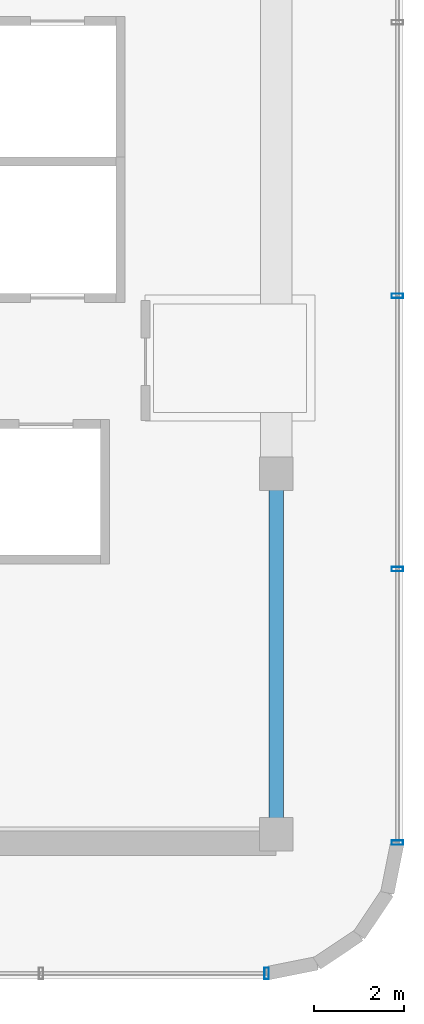
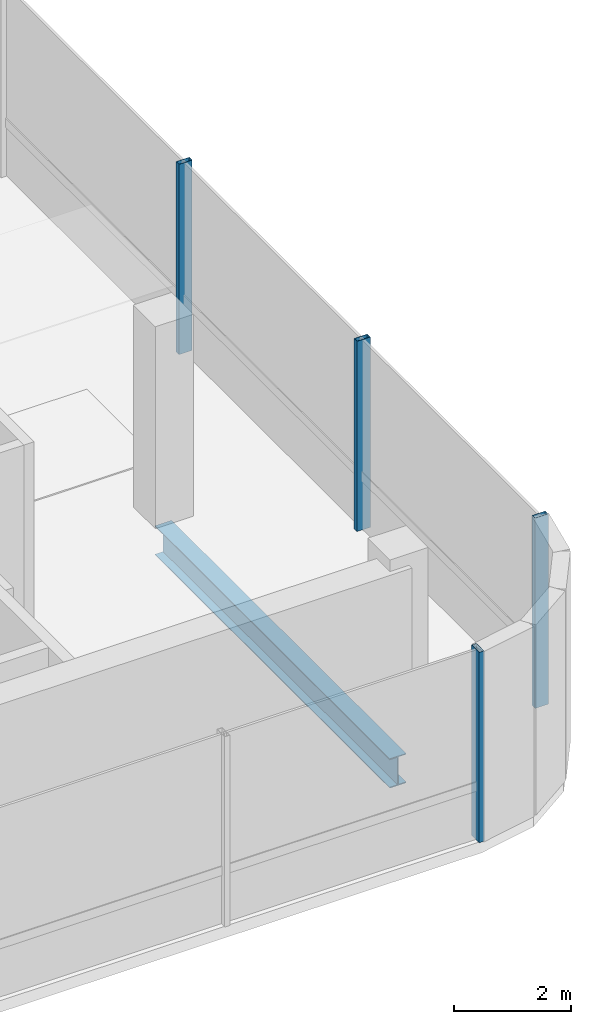
# One storey, part 5 of 11: 4 members, 1 beam, 2 elements without a shape of their own.
"""IFC4 building model written with IfcOpenShell, lengths in metres."""

from ifc_helpers import new_model, si_unit, direction, frame, origin, origin_2d, place, context, subcontext, project, spatial, hollow_rectangle, i_section, extrude, source, transform, mapped, material, material_profile, profile_set, type_object, element, aggregate, save


model = new_model("IFC4")

# Units and contexts
model_context = context("Model", 3, precision=1e-05, world=origin(), true_north=direction((0.0, 1.0)))
body_context = subcontext(model_context, "Body", "Model", "MODEL_VIEW")
ifc_project = project(units=[si_unit("LENGTHUNIT", "METRE"), si_unit("AREAUNIT", "SQUARE_METRE"), si_unit("VOLUMEUNIT", "CUBIC_METRE"), si_unit("PLANEANGLEUNIT", "RADIAN"), si_unit("MASSUNIT", "GRAM", prefix="KILO")], contexts=[model_context])

# Site, building, storey
site_placement = place(None, origin())
site = spatial("IfcSite", under=ifc_project, at=site_placement, CompositionType="ELEMENT")
building_placement = place(site_placement, origin())
building = spatial("IfcBuilding", under=site, at=building_placement, Name="Valdorenza Pilgrim Sanctuary Tower", CompositionType="ELEMENT")
storey_placement = place(building_placement, frame((0.0, 0.0, 299.39990234375)))
storey = spatial("IfcBuildingStorey", under=building, at=storey_placement, Name="L78", CompositionType="ELEMENT", Elevation=299.39990234375)

# Beam
ifc_material_1 = material(Name="Steel ASTM A992 Grade 50", Category="steel")
ifc_material_profile_1 = material_profile(ifc_material_1, i_section(OverallWidth=0.323974609375, OverallDepth=0.611083984375, WebThickness=0.0126953125, FlangeThickness=0.01904296875, at=origin_2d()), Name="W24X104")
ifc_profile_set_1 = profile_set([ifc_material_profile_1], Name="Steel ASTM A992 Grade 50")
beam_type = type_object("IfcBeamType", Name="STR-BM-GRD-W24B", PredefinedType="BEAM", material=ifc_profile_set_1)
shared_shape_1 = source(origin(), body_context, "Body", "SweptSolid", [
    extrude(i_section(OverallWidth=0.323974609375, OverallDepth=0.611083984375, WebThickness=0.0126953125, FlangeThickness=0.01904296875, at=origin_2d()), origin(), (0.0, 0.0, 1.0), 8.0),
])
beam_placement = place(storey_placement, frame((-12.39990234375, -10.60009765625, -0.54541015625), z_axis=(0.0, 1.0, 0.0), x_axis=(-1.0, 0.0, 0.0)))
element("IfcBeam", 1, at=beam_placement, inside=storey, type_object=beam_type, Name="L78 Core Tie Girder CA-E-S1M0", PredefinedType="BEAM", context=body_context, shape_type="MappedRepresentation", body=[
    mapped(shared_shape_1, transform((0.0, 0.0, 0.0), x_axis=(1.0, 0.0, 0.0), y_axis=(0.0, 1.0, 0.0), z_axis=(0.0, 0.0, 1.0), scale=1.0)),
])

# Curtain wall, members
ifc_material_2 = material(Name="Curtain-wall IGU glazing", Category="glass")
curtain_wall_type = type_object("IfcCurtainWallType", Name="CW-SYS-06", PredefinedType="NOTDEFINED", material=ifc_material_2)
curtain_wall_1_placement = place(storey_placement, origin())
curtain_wall_1 = element("IfcCurtainWall", 2, at=curtain_wall_1_placement, inside=storey, type_object=curtain_wall_type, Name="L78 Curtain Wall CW-L78-1-11", PredefinedType="NOTDEFINED")
ifc_material_3 = material(Name="Anodised aluminium AW-6060", Category="aluminium")
ifc_material_profile_2 = material_profile(ifc_material_3, hollow_rectangle(XDim=0.10009765625, YDim=0.260009765625, WallThickness=0.006103515625, at=origin_2d()), Name="ALU-M 260x100x6")
ifc_profile_set_2 = profile_set([ifc_material_profile_2], Name="Anodised aluminium AW-6060")
member_type = type_object("IfcMemberType", Name="CW-MUL-06", PredefinedType="MULLION", material=ifc_profile_set_2)
shared_shape_2 = source(origin(), body_context, "Body", "SweptSolid", [
    extrude(hollow_rectangle(XDim=0.10009765625, YDim=0.260009765625, WallThickness=0.006103515625, at=origin_2d()), origin(), (0.0, 0.0, 1.0), 3.960205078125),
])
member_1_placement = place(storey_placement, frame((-9.7099609375, 1.35009765625, 0.0), z_axis=(0.0, 0.0, 1.0), x_axis=(0.0, -1.0, 0.0)))
member_1 = element("IfcMember", 3, at=member_1_placement, type_object=member_type, Name="CW-L78-1-11 Mullion 3", PredefinedType="MULLION", context=body_context, shape_type="MappedRepresentation", body=[
    mapped(shared_shape_2, transform((0.0, 0.0, 0.0), x_axis=(1.0, 0.0, 0.0), y_axis=(0.0, 1.0, 0.0), z_axis=(0.0, 0.0, 1.0), scale=1.0)),
])
member_2_placement = place(storey_placement, frame((-9.7099609375, -4.719482421875, 0.0), z_axis=(0.0, 0.0, 1.0), x_axis=(0.0, -1.0, 0.0)))
member_2 = element("IfcMember", 4, at=member_2_placement, type_object=member_type, Name="CW-L78-1-11 Mullion 4", PredefinedType="MULLION", context=body_context, shape_type="MappedRepresentation", body=[
    mapped(shared_shape_2, transform((0.0, 0.0, 0.0), x_axis=(1.0, 0.0, 0.0), y_axis=(0.0, 1.0, 0.0), z_axis=(0.0, 0.0, 1.0), scale=1.0)),
])
member_3_placement = place(storey_placement, frame((-9.7099609375, -10.789306640625, 0.0), z_axis=(0.0, 0.0, 1.0), x_axis=(0.0, -1.0, 0.0)))
member_3 = element("IfcMember", 5, at=member_3_placement, type_object=member_type, Name="CW-L78-1-11 Mullion 5", PredefinedType="MULLION", context=body_context, shape_type="MappedRepresentation", body=[
    mapped(shared_shape_2, transform((0.0, 0.0, 0.0), x_axis=(1.0, 0.0, 0.0), y_axis=(0.0, 1.0, 0.0), z_axis=(0.0, 0.0, 1.0), scale=1.0)),
])
aggregate(curtain_wall_1, [member_1, member_2, member_3])

# Curtain wall, member
curtain_wall_2_placement = place(storey_placement, origin())
curtain_wall_2 = element("IfcCurtainWall", 6, at=curtain_wall_2_placement, inside=storey, type_object=curtain_wall_type, Name="L78 Curtain Wall CW-L78-1-16", PredefinedType="NOTDEFINED")
member_4_placement = place(storey_placement, frame((-12.61083984375, -13.68994140625, 0.0), z_axis=(0.0, 0.0, 1.0), x_axis=(-1.0, 0.0, 0.0)))
member_4 = element("IfcMember", 7, at=member_4_placement, type_object=member_type, Name="CW-L78-1-16 Mullion 1", PredefinedType="MULLION", context=body_context, shape_type="MappedRepresentation", body=[
    mapped(shared_shape_2, transform((0.0, 0.0, 0.0), x_axis=(1.0, 0.0, 0.0), y_axis=(0.0, 1.0, 0.0), z_axis=(0.0, 0.0, 1.0), scale=1.0)),
])
aggregate(curtain_wall_2, [member_4])

save(model, "model.ifc")
